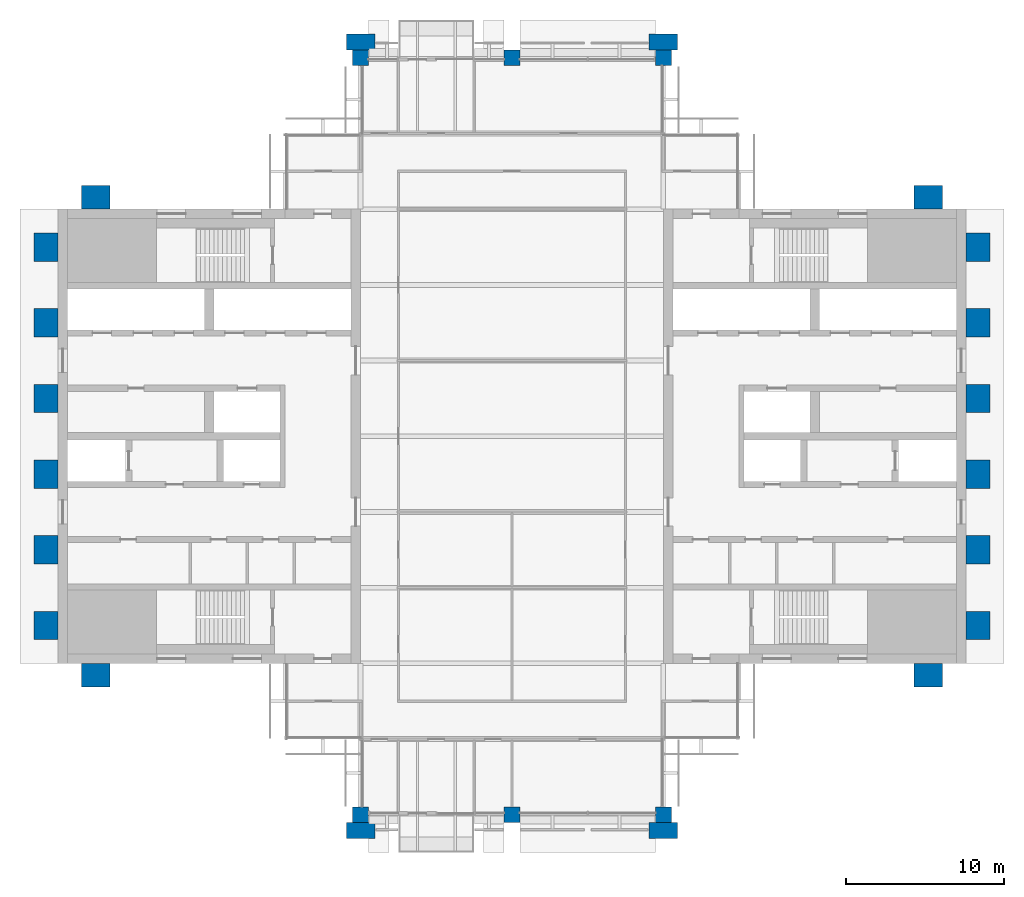
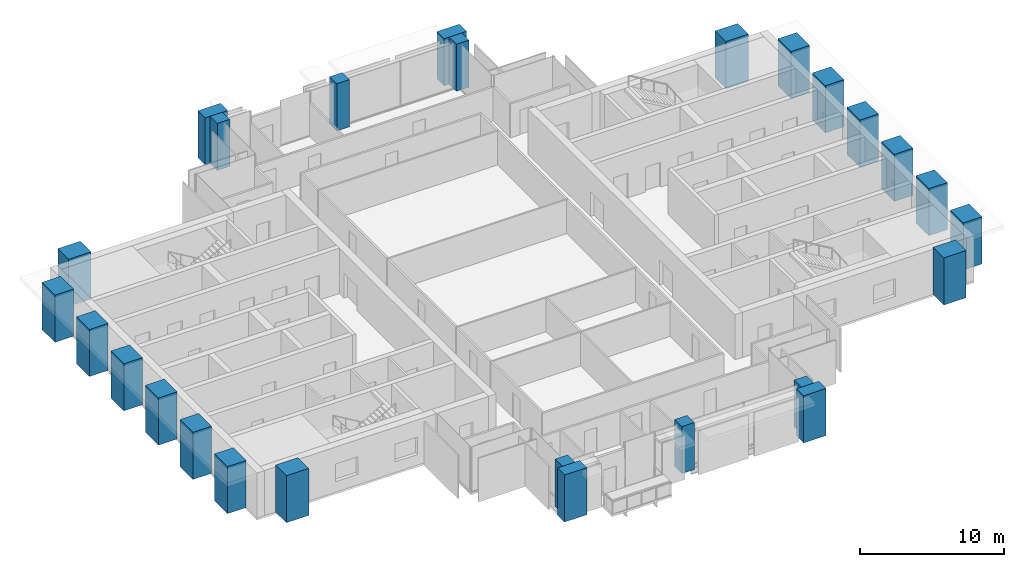
# One storey, part 1 of 13: 26 columns.
"""IFC4 building model written with IfcOpenShell, lengths in metres."""

from ifc_helpers import new_model, si_unit, direction, frame, origin, origin_2d, place, context, subcontext, project, spatial, rectangle, extrude, material, material_profile, profile_set, type_object, element, save


model = new_model("IFC4")

# Units and contexts
model_context = context("Model", 3, precision=1e-05, world=origin(), true_north=direction((0.0, 1.0)))
body_context = subcontext(model_context, "Body", "Model", "MODEL_VIEW")
ifc_project = project(units=[si_unit("LENGTHUNIT", "METRE"), si_unit("AREAUNIT", "SQUARE_METRE"), si_unit("VOLUMEUNIT", "CUBIC_METRE"), si_unit("PLANEANGLEUNIT", "RADIAN"), si_unit("MASSUNIT", "GRAM", prefix="KILO")], contexts=[model_context])

# Site, building, storey
site_placement = place(None, origin())
site = spatial("IfcSite", under=ifc_project, at=site_placement, CompositionType="ELEMENT")
building_placement = place(site_placement, origin())
building = spatial("IfcBuilding", under=site, at=building_placement, Name="Baori Bourse Tower", CompositionType="ELEMENT")
storey_placement = place(building_placement, frame((0.0, 0.0, 338.300048828125)))
storey = spatial("IfcBuildingStorey", under=building, at=storey_placement, Name="L75", CompositionType="ELEMENT", Elevation=338.300048828125)

# Columns
ifc_material_1 = material(Name="Concrete f'c 60 MPa", Category="concrete")
ifc_material_profile_1 = material_profile(ifc_material_1, rectangle(XDim=1.800048828125, YDim=1.0, at=origin_2d()), Name="RC 1800x1000")
ifc_profile_set_1 = profile_set([ifc_material_profile_1], Name="Concrete f'c 60 MPa")
column_type_1 = type_object("IfcColumnType", Name="FN3 Brick pilaster 1800x1000", PredefinedType="PILASTER", material=ifc_profile_set_1)
for number, where, z_axis, x_axis, name in (
    (1, (19.199951171875, -1.0, 0.0), (0.0, 0.0, 1.0), (1.0, 0.0, 0.0), "Brick pilaster L75 17"),
    (2, (38.39990234375, -1.0, 0.0), (0.0, 0.0, 1.0), (1.0, 0.0, 0.0), "Brick pilaster L75 18"),
    (3, (19.199951171875, 49.0, 0.0), (0.0, 0.0, 1.0), (1.0, 0.0, 0.0), "Brick pilaster L75 19"),
    (4, (38.39990234375, 49.0, 0.0), (0.0, 0.0, 1.0), (1.0, 0.0, 0.0), "Brick pilaster L75 20"),
):
    element("IfcColumn", number, at=place(storey_placement, frame(where, z_axis=z_axis, x_axis=x_axis)), inside=storey, type_object=column_type_1, Name=name, PredefinedType="PILASTER", context=body_context, shape_type="SweptSolid", body=[
        extrude(rectangle(XDim=1.800048828125, YDim=1.0, at=origin_2d()), origin(), (0.0, 0.0, 1.0), 4.0),
    ])
ifc_material_2 = material(Name="Concrete f'c 60 MPa", Category="concrete")
ifc_material_profile_2 = material_profile(ifc_material_2, rectangle(XDim=1.800048828125, YDim=1.5, at=origin_2d()), Name="RC 1800x1500")
ifc_profile_set_2 = profile_set([ifc_material_profile_2], Name="Concrete f'c 60 MPa")
column_type_2 = type_object("IfcColumnType", Name="FN4 Brick flank pilaster 1800x1500", PredefinedType="PILASTER", material=ifc_profile_set_2)
for number, where, z_axis, x_axis, name in (
    (5, (55.199951171875, 8.85009765625, 0.0), (0.0, 0.0, 1.0), (1.0, 0.0, 0.0), "Brick pilaster L75 1"),
    (6, (58.35009765625, 12.0, 0.0), (0.0, 0.0, 1.0), (0.0, 1.0, 0.0), "Brick pilaster L75 2"),
    (7, (58.35009765625, 16.800048828125, 0.0), (0.0, 0.0, 1.0), (0.0, 1.0, 0.0), "Brick pilaster L75 3"),
    (8, (58.35009765625, 21.60009765625, 0.0), (0.0, 0.0, 1.0), (0.0, 1.0, 0.0), "Brick pilaster L75 4"),
    (9, (58.35009765625, 26.39990234375, 0.0), (0.0, 0.0, 1.0), (0.0, 1.0, 0.0), "Brick pilaster L75 5"),
    (10, (58.35009765625, 31.199951171875, 0.0), (0.0, 0.0, 1.0), (0.0, 1.0, 0.0), "Brick pilaster L75 6"),
    (11, (58.35009765625, 36.0, 0.0), (0.0, 0.0, 1.0), (0.0, 1.0, 0.0), "Brick pilaster L75 7"),
    (12, (55.199951171875, 39.14990234375, 0.0), (0.0, 0.0, 1.0), (1.0, 0.0, 0.0), "Brick pilaster L75 8"),
    (13, (2.39990234375, 39.14990234375, 0.0), (0.0, 0.0, 1.0), (1.0, 0.0, 0.0), "Brick pilaster L75 9"),
    (14, (-0.75, 12.0, 0.0), (0.0, 0.0, 1.0), (0.0, 1.0, 0.0), "Brick pilaster L75 10"),
    (15, (-0.75, 16.800048828125, 0.0), (0.0, 0.0, 1.0), (0.0, 1.0, 0.0), "Brick pilaster L75 11"),
    (16, (-0.75, 21.60009765625, 0.0), (0.0, 0.0, 1.0), (0.0, 1.0, 0.0), "Brick pilaster L75 12"),
    (17, (-0.75, 26.39990234375, 0.0), (0.0, 0.0, 1.0), (0.0, 1.0, 0.0), "Brick pilaster L75 13"),
    (18, (-0.75, 31.199951171875, 0.0), (0.0, 0.0, 1.0), (0.0, 1.0, 0.0), "Brick pilaster L75 14"),
    (19, (-0.75, 36.0, 0.0), (0.0, 0.0, 1.0), (0.0, 1.0, 0.0), "Brick pilaster L75 15"),
    (20, (2.39990234375, 8.85009765625, 0.0), (0.0, 0.0, 1.0), (1.0, 0.0, 0.0), "Brick pilaster L75 16"),
):
    element("IfcColumn", number, at=place(storey_placement, frame(where, z_axis=z_axis, x_axis=x_axis)), inside=storey, type_object=column_type_2, Name=name, PredefinedType="PILASTER", context=body_context, shape_type="SweptSolid", body=[
        extrude(rectangle(XDim=1.800048828125, YDim=1.5, at=origin_2d()), origin(), (0.0, 0.0, 1.0), 4.0),
    ])
ifc_material_3 = material(Name="Concrete f'c 40 MPa", Category="concrete")
ifc_material_profile_3 = material_profile(ifc_material_3, rectangle(XDim=1.0, YDim=1.0, at=origin_2d()), Name="RC 1000x1000")
ifc_profile_set_3 = profile_set([ifc_material_profile_3], Name="Concrete f'c 40 MPa")
column_type_3 = type_object("IfcColumnType", Name="Perimeter column 40 RC 1000x1000", PredefinedType="COLUMN", material=ifc_profile_set_3)
for number, where, z_axis, x_axis, name in (
    (21, (19.199951171875, 0.0, 0.0), (0.0, 0.0, 1.0), (1.0, 0.0, 0.0), "Perimeter column L75"),
    (22, (28.800048828125, 0.0, 0.0), (0.0, 0.0, 1.0), (1.0, 0.0, 0.0), "Perimeter column L75"),
    (23, (38.39990234375, 0.0, 0.0), (0.0, 0.0, 1.0), (1.0, 0.0, 0.0), "Perimeter column L75"),
    (24, (19.199951171875, 48.0, 0.0), (0.0, 0.0, 1.0), (1.0, 0.0, 0.0), "Perimeter column L75"),
    (25, (28.800048828125, 48.0, 0.0), (0.0, 0.0, 1.0), (1.0, 0.0, 0.0), "Perimeter column L75"),
    (26, (38.39990234375, 48.0, 0.0), (0.0, 0.0, 1.0), (1.0, 0.0, 0.0), "Perimeter column L75"),
):
    element("IfcColumn", number, at=place(storey_placement, frame(where, z_axis=z_axis, x_axis=x_axis)), inside=storey, type_object=column_type_3, Name=name, PredefinedType="COLUMN", context=body_context, shape_type="SweptSolid", body=[
        extrude(rectangle(XDim=1.0, YDim=1.0, at=origin_2d()), origin(), (0.0, 0.0, 1.0), 4.0),
    ])

save(model, "model.ifc")
